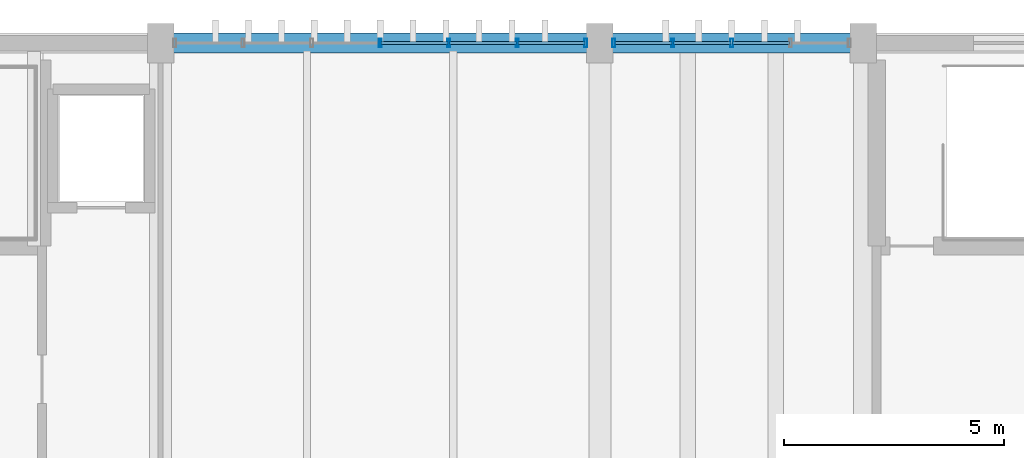
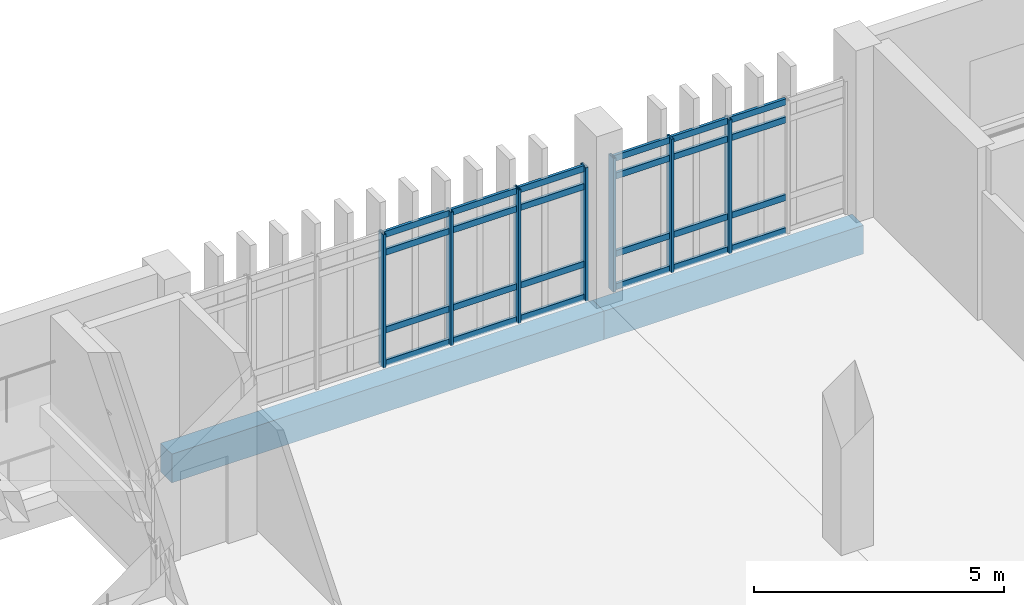
# One storey, part 96 of 161: 31 members, 2 beams, 2 elements without a shape of their own.
"""IFC4 building model written with IfcOpenShell, lengths in metres."""

from ifc_helpers import new_model, si_unit, direction, frame, origin, origin_2d, place, context, subcontext, project, spatial, rectangle, hollow_rectangle, extrude, material, layer, layer_set, material_profile, profile_set, type_object, element, aggregate, save


model = new_model("IFC4")

# Units and contexts
model_context = context("Model", 3, precision=1e-05, world=origin(), true_north=direction((0.0, 1.0)))
body_context = subcontext(model_context, "Body", "Model", "MODEL_VIEW")
ifc_project = project(units=[si_unit("LENGTHUNIT", "METRE"), si_unit("AREAUNIT", "SQUARE_METRE"), si_unit("VOLUMEUNIT", "CUBIC_METRE"), si_unit("PLANEANGLEUNIT", "RADIAN"), si_unit("MASSUNIT", "GRAM", prefix="KILO")], contexts=[model_context])

# Site, building, storey
site_placement = place(None, origin())
site = spatial("IfcSite", under=ifc_project, at=site_placement, CompositionType="ELEMENT")
building_placement = place(site_placement, origin())
building = spatial("IfcBuilding", under=site, at=building_placement, Name="Mersad Railyard Sports Hall", CompositionType="ELEMENT")
storey_placement = place(building_placement, frame((0.0, 0.0, 4.800048828125)))
storey = spatial("IfcBuildingStorey", under=building, at=storey_placement, Name="L01", CompositionType="ELEMENT", Elevation=4.800048828125)

# Curtain wall, members
ifc_material_1 = material(Name="Aluminium 6063-T6", Category="aluminium")
ifc_layer_1 = layer(ifc_material_1, 0.199951171875)
ifc_layer_set_1 = layer_set([ifc_layer_1], Name="Aluminium 6063-T6")
curtain_wall_type_1 = type_object("IfcCurtainWallType", Name="ARC-CW-CW35", PredefinedType="USERDEFINED", material=ifc_layer_set_1)
curtain_wall_1_placement = place(storey_placement, origin())
curtain_wall_1 = element("IfcCurtainWall", 1, at=curtain_wall_1_placement, inside=storey, type_object=curtain_wall_type_1, Name="Curtain wall CW35-0099", ObjectType="CURTAIN WALL", PredefinedType="USERDEFINED")
ifc_material_profile_1 = material_profile(ifc_material_1, hollow_rectangle(XDim=0.06494140625, YDim=0.199951171875, WallThickness=0.0048828125, at=origin_2d()), Name="AL MULLION 65x200x5")
ifc_profile_set_1 = profile_set([ifc_material_profile_1], Name="Aluminium 6063-T6")
member_type_1 = type_object("IfcMemberType", Name="ARC-CW-MUL02", PredefinedType="MULLION", material=ifc_profile_set_1)
member_1_placement = place(storey_placement, frame((126.0, 115.0, -0.02001953125), z_axis=(0.0, 0.0, 1.0), x_axis=(1.0, 0.0, 0.0)))
member_1 = element("IfcMember", 2, at=member_1_placement, type_object=member_type_1, Name="CW35 Mullion 4", PredefinedType="MULLION", context=body_context, shape_type="SweptSolid", body=[
    extrude(hollow_rectangle(XDim=0.06494140625, YDim=0.199951171875, WallThickness=0.0048828125, at=origin_2d()), origin(), (0.0, 0.0, 1.0), 3.27001953125),
])
member_2_placement = place(storey_placement, frame((127.56005859375, 115.0, -0.02001953125), z_axis=(0.0, 0.0, 1.0), x_axis=(1.0, 0.0, 0.0)))
member_2 = element("IfcMember", 3, at=member_2_placement, type_object=member_type_1, Name="CW35 Mullion 5", PredefinedType="MULLION", context=body_context, shape_type="SweptSolid", body=[
    extrude(hollow_rectangle(XDim=0.06494140625, YDim=0.199951171875, WallThickness=0.0048828125, at=origin_2d()), origin(), (0.0, 0.0, 1.0), 3.27001953125),
])
member_3_placement = place(storey_placement, frame((129.1201171875, 115.0, -0.02001953125), z_axis=(0.0, 0.0, 1.0), x_axis=(1.0, 0.0, 0.0)))
member_3 = element("IfcMember", 4, at=member_3_placement, type_object=member_type_1, Name="CW35 Mullion 6", PredefinedType="MULLION", context=body_context, shape_type="SweptSolid", body=[
    extrude(hollow_rectangle(XDim=0.06494140625, YDim=0.199951171875, WallThickness=0.0048828125, at=origin_2d()), origin(), (0.0, 0.0, 1.0), 3.27001953125),
])
member_4_placement = place(storey_placement, frame((130.679931640625, 115.0, -0.02001953125), z_axis=(0.0, 0.0, 1.0), x_axis=(1.0, 0.0, 0.0)))
member_4 = element("IfcMember", 5, at=member_4_placement, type_object=member_type_1, Name="CW35 Mullion 7", PredefinedType="MULLION", context=body_context, shape_type="SweptSolid", body=[
    extrude(hollow_rectangle(XDim=0.06494140625, YDim=0.199951171875, WallThickness=0.0048828125, at=origin_2d()), origin(), (0.0, 0.0, 1.0), 3.27001953125),
])

ifc_layer_2 = layer(ifc_material_1, 0.199951171875)
ifc_layer_set_2 = layer_set([ifc_layer_2], Name="Aluminium 6063-T6")
curtain_wall_type_2 = type_object("IfcCurtainWallType", Name="ARC-CW-CW36", PredefinedType="USERDEFINED", material=ifc_layer_set_2)
curtain_wall_2_placement = place(storey_placement, origin())
curtain_wall_2 = element("IfcCurtainWall", 6, at=curtain_wall_2_placement, inside=storey, type_object=curtain_wall_type_2, Name="Curtain wall CW36-0100", ObjectType="CURTAIN WALL", PredefinedType="USERDEFINED")
member_5_placement = place(storey_placement, frame((131.320068359375, 115.0, -0.02001953125), z_axis=(0.0, 0.0, 1.0), x_axis=(1.0, 0.0, 0.0)))
member_5 = element("IfcMember", 7, at=member_5_placement, type_object=member_type_1, Name="CW36 Mullion 1", PredefinedType="MULLION", context=body_context, shape_type="SweptSolid", body=[
    extrude(hollow_rectangle(XDim=0.06494140625, YDim=0.199951171875, WallThickness=0.0048828125, at=origin_2d()), origin(), (0.0, 0.0, 1.0), 3.27001953125),
])
member_6_placement = place(storey_placement, frame((132.659912109375, 115.0, -0.02001953125), z_axis=(0.0, 0.0, 1.0), x_axis=(1.0, 0.0, 0.0)))
member_6 = element("IfcMember", 8, at=member_6_placement, type_object=member_type_1, Name="CW36 Mullion 2", PredefinedType="MULLION", context=body_context, shape_type="SweptSolid", body=[
    extrude(hollow_rectangle(XDim=0.06494140625, YDim=0.199951171875, WallThickness=0.0048828125, at=origin_2d()), origin(), (0.0, 0.0, 1.0), 3.27001953125),
])
member_7_placement = place(storey_placement, frame((134.0, 115.0, -0.02001953125), z_axis=(0.0, 0.0, 1.0), x_axis=(1.0, 0.0, 0.0)))
member_7 = element("IfcMember", 9, at=member_7_placement, type_object=member_type_1, Name="CW36 Mullion 3", PredefinedType="MULLION", context=body_context, shape_type="SweptSolid", body=[
    extrude(hollow_rectangle(XDim=0.06494140625, YDim=0.199951171875, WallThickness=0.0048828125, at=origin_2d()), origin(), (0.0, 0.0, 1.0), 3.27001953125),
])

# Member
ifc_material_profile_2 = material_profile(ifc_material_1, hollow_rectangle(XDim=0.06494140625, YDim=0.14990234375, WallThickness=0.00439453125, at=origin_2d()), Name="AL TRANSOM 65x150x4.5")
ifc_profile_set_2 = profile_set([ifc_material_profile_2], Name="Aluminium 6063-T6")
member_type_2 = type_object("IfcMemberType", Name="ARC-CW-TRN02", PredefinedType="USERDEFINED", material=ifc_profile_set_2)
member_8_placement = place(storey_placement, frame((126.02001953125, 115.0, 0.0400390625), z_axis=(1.0, 0.0, 0.0), x_axis=(0.0, 1.0, 0.0)))
member_8 = element("IfcMember", 10, at=member_8_placement, type_object=member_type_2, Name="CW35 Transom 1-4", ObjectType="TRANSOM", PredefinedType="USERDEFINED", context=body_context, shape_type="SweptSolid", body=[
    extrude(hollow_rectangle(XDim=0.06494140625, YDim=0.14990234375, WallThickness=0.00439453125, at=origin_2d()), origin(), (0.0, 0.0, 1.0), 1.52001953125),
])

member_9_placement = place(storey_placement, frame((127.580078125, 115.0, 0.0400390625), z_axis=(1.0, 0.0, 0.0), x_axis=(0.0, 1.0, 0.0)))
member_9 = element("IfcMember", 11, at=member_9_placement, type_object=member_type_2, Name="CW35 Transom 1-5", ObjectType="TRANSOM", PredefinedType="USERDEFINED", context=body_context, shape_type="SweptSolid", body=[
    extrude(hollow_rectangle(XDim=0.06494140625, YDim=0.14990234375, WallThickness=0.00439453125, at=origin_2d()), origin(), (0.0, 0.0, 1.0), 1.52001953125),
])

member_10_placement = place(storey_placement, frame((129.139892578125, 115.0, 0.0400390625), z_axis=(1.0, 0.0, 0.0), x_axis=(0.0, 1.0, 0.0)))
member_10 = element("IfcMember", 12, at=member_10_placement, type_object=member_type_2, Name="CW35 Transom 1-6", ObjectType="TRANSOM", PredefinedType="USERDEFINED", context=body_context, shape_type="SweptSolid", body=[
    extrude(hollow_rectangle(XDim=0.06494140625, YDim=0.14990234375, WallThickness=0.00439453125, at=origin_2d()), origin(), (0.0, 0.0, 1.0), 1.52001953125),
])

member_11_placement = place(storey_placement, frame((126.02001953125, 115.0, 0.849853515625), z_axis=(1.0, 0.0, 0.0), x_axis=(0.0, 1.0, 0.0)))
member_11 = element("IfcMember", 13, at=member_11_placement, type_object=member_type_2, Name="CW35 Transom 2-4", ObjectType="TRANSOM", PredefinedType="USERDEFINED", context=body_context, shape_type="SweptSolid", body=[
    extrude(hollow_rectangle(XDim=0.06494140625, YDim=0.14990234375, WallThickness=0.00439453125, at=origin_2d()), origin(), (0.0, 0.0, 1.0), 1.52001953125),
])

member_12_placement = place(storey_placement, frame((127.580078125, 115.0, 0.849853515625), z_axis=(1.0, 0.0, 0.0), x_axis=(0.0, 1.0, 0.0)))
member_12 = element("IfcMember", 14, at=member_12_placement, type_object=member_type_2, Name="CW35 Transom 2-5", ObjectType="TRANSOM", PredefinedType="USERDEFINED", context=body_context, shape_type="SweptSolid", body=[
    extrude(hollow_rectangle(XDim=0.06494140625, YDim=0.14990234375, WallThickness=0.00439453125, at=origin_2d()), origin(), (0.0, 0.0, 1.0), 1.52001953125),
])

member_13_placement = place(storey_placement, frame((129.139892578125, 115.0, 0.849853515625), z_axis=(1.0, 0.0, 0.0), x_axis=(0.0, 1.0, 0.0)))
member_13 = element("IfcMember", 15, at=member_13_placement, type_object=member_type_2, Name="CW35 Transom 2-6", ObjectType="TRANSOM", PredefinedType="USERDEFINED", context=body_context, shape_type="SweptSolid", body=[
    extrude(hollow_rectangle(XDim=0.06494140625, YDim=0.14990234375, WallThickness=0.00439453125, at=origin_2d()), origin(), (0.0, 0.0, 1.0), 1.52001953125),
])

member_14_placement = place(storey_placement, frame((126.02001953125, 115.0, 2.75), z_axis=(1.0, 0.0, 0.0), x_axis=(0.0, 1.0, 0.0)))
member_14 = element("IfcMember", 16, at=member_14_placement, type_object=member_type_2, Name="CW35 Transom 3-4", ObjectType="TRANSOM", PredefinedType="USERDEFINED", context=body_context, shape_type="SweptSolid", body=[
    extrude(hollow_rectangle(XDim=0.06494140625, YDim=0.14990234375, WallThickness=0.00439453125, at=origin_2d()), origin(), (0.0, 0.0, 1.0), 1.52001953125),
])

member_15_placement = place(storey_placement, frame((127.580078125, 115.0, 2.75), z_axis=(1.0, 0.0, 0.0), x_axis=(0.0, 1.0, 0.0)))
member_15 = element("IfcMember", 17, at=member_15_placement, type_object=member_type_2, Name="CW35 Transom 3-5", ObjectType="TRANSOM", PredefinedType="USERDEFINED", context=body_context, shape_type="SweptSolid", body=[
    extrude(hollow_rectangle(XDim=0.06494140625, YDim=0.14990234375, WallThickness=0.00439453125, at=origin_2d()), origin(), (0.0, 0.0, 1.0), 1.52001953125),
])

member_16_placement = place(storey_placement, frame((129.139892578125, 115.0, 2.75), z_axis=(1.0, 0.0, 0.0), x_axis=(0.0, 1.0, 0.0)))
member_16 = element("IfcMember", 18, at=member_16_placement, type_object=member_type_2, Name="CW35 Transom 3-6", ObjectType="TRANSOM", PredefinedType="USERDEFINED", context=body_context, shape_type="SweptSolid", body=[
    extrude(hollow_rectangle(XDim=0.06494140625, YDim=0.14990234375, WallThickness=0.00439453125, at=origin_2d()), origin(), (0.0, 0.0, 1.0), 1.52001953125),
])

member_17_placement = place(storey_placement, frame((126.02001953125, 115.0, 3.18994140625), z_axis=(1.0, 0.0, 0.0), x_axis=(0.0, 1.0, 0.0)))
member_17 = element("IfcMember", 19, at=member_17_placement, type_object=member_type_2, Name="CW35 Transom 4-4", ObjectType="TRANSOM", PredefinedType="USERDEFINED", context=body_context, shape_type="SweptSolid", body=[
    extrude(hollow_rectangle(XDim=0.06494140625, YDim=0.14990234375, WallThickness=0.00439453125, at=origin_2d()), origin(), (0.0, 0.0, 1.0), 1.52001953125),
])

member_18_placement = place(storey_placement, frame((127.580078125, 115.0, 3.18994140625), z_axis=(1.0, 0.0, 0.0), x_axis=(0.0, 1.0, 0.0)))
member_18 = element("IfcMember", 20, at=member_18_placement, type_object=member_type_2, Name="CW35 Transom 4-5", ObjectType="TRANSOM", PredefinedType="USERDEFINED", context=body_context, shape_type="SweptSolid", body=[
    extrude(hollow_rectangle(XDim=0.06494140625, YDim=0.14990234375, WallThickness=0.00439453125, at=origin_2d()), origin(), (0.0, 0.0, 1.0), 1.52001953125),
])

member_19_placement = place(storey_placement, frame((129.139892578125, 115.0, 3.18994140625), z_axis=(1.0, 0.0, 0.0), x_axis=(0.0, 1.0, 0.0)))
member_19 = element("IfcMember", 21, at=member_19_placement, type_object=member_type_2, Name="CW35 Transom 4-6", ObjectType="TRANSOM", PredefinedType="USERDEFINED", context=body_context, shape_type="SweptSolid", body=[
    extrude(hollow_rectangle(XDim=0.06494140625, YDim=0.14990234375, WallThickness=0.00439453125, at=origin_2d()), origin(), (0.0, 0.0, 1.0), 1.52001953125),
])

aggregate(curtain_wall_1, [member_1, member_2, member_3, member_4, member_8, member_9, member_10, member_11, member_12, member_13, member_14, member_15, member_16, member_17, member_18, member_19])

member_20_placement = place(storey_placement, frame((131.340087890625, 115.0, 0.0400390625), z_axis=(1.0, 0.0, 0.0), x_axis=(0.0, 1.0, 0.0)))
member_20 = element("IfcMember", 22, at=member_20_placement, type_object=member_type_2, Name="CW36 Transom 1-1", ObjectType="TRANSOM", PredefinedType="USERDEFINED", context=body_context, shape_type="SweptSolid", body=[
    extrude(hollow_rectangle(XDim=0.06494140625, YDim=0.14990234375, WallThickness=0.00439453125, at=origin_2d()), origin(), (0.0, 0.0, 1.0), 1.2998046875),
])

member_21_placement = place(storey_placement, frame((132.679931640625, 115.0, 0.0400390625), z_axis=(1.0, 0.0, 0.0), x_axis=(0.0, 1.0, 0.0)))
member_21 = element("IfcMember", 23, at=member_21_placement, type_object=member_type_2, Name="CW36 Transom 1-2", ObjectType="TRANSOM", PredefinedType="USERDEFINED", context=body_context, shape_type="SweptSolid", body=[
    extrude(hollow_rectangle(XDim=0.06494140625, YDim=0.14990234375, WallThickness=0.00439453125, at=origin_2d()), origin(), (0.0, 0.0, 1.0), 1.300048828125),
])

member_22_placement = place(storey_placement, frame((134.02001953125, 115.0, 0.0400390625), z_axis=(1.0, 0.0, 0.0), x_axis=(0.0, 1.0, 0.0)))
member_22 = element("IfcMember", 24, at=member_22_placement, type_object=member_type_2, Name="CW36 Transom 1-3", ObjectType="TRANSOM", PredefinedType="USERDEFINED", context=body_context, shape_type="SweptSolid", body=[
    extrude(hollow_rectangle(XDim=0.06494140625, YDim=0.14990234375, WallThickness=0.00439453125, at=origin_2d()), origin(), (0.0, 0.0, 1.0), 1.300048828125),
])

member_23_placement = place(storey_placement, frame((131.340087890625, 115.0, 0.849853515625), z_axis=(1.0, 0.0, 0.0), x_axis=(0.0, 1.0, 0.0)))
member_23 = element("IfcMember", 25, at=member_23_placement, type_object=member_type_2, Name="CW36 Transom 2-1", ObjectType="TRANSOM", PredefinedType="USERDEFINED", context=body_context, shape_type="SweptSolid", body=[
    extrude(hollow_rectangle(XDim=0.06494140625, YDim=0.14990234375, WallThickness=0.00439453125, at=origin_2d()), origin(), (0.0, 0.0, 1.0), 1.2998046875),
])

member_24_placement = place(storey_placement, frame((132.679931640625, 115.0, 0.849853515625), z_axis=(1.0, 0.0, 0.0), x_axis=(0.0, 1.0, 0.0)))
member_24 = element("IfcMember", 26, at=member_24_placement, type_object=member_type_2, Name="CW36 Transom 2-2", ObjectType="TRANSOM", PredefinedType="USERDEFINED", context=body_context, shape_type="SweptSolid", body=[
    extrude(hollow_rectangle(XDim=0.06494140625, YDim=0.14990234375, WallThickness=0.00439453125, at=origin_2d()), origin(), (0.0, 0.0, 1.0), 1.300048828125),
])

member_25_placement = place(storey_placement, frame((134.02001953125, 115.0, 0.849853515625), z_axis=(1.0, 0.0, 0.0), x_axis=(0.0, 1.0, 0.0)))
member_25 = element("IfcMember", 27, at=member_25_placement, type_object=member_type_2, Name="CW36 Transom 2-3", ObjectType="TRANSOM", PredefinedType="USERDEFINED", context=body_context, shape_type="SweptSolid", body=[
    extrude(hollow_rectangle(XDim=0.06494140625, YDim=0.14990234375, WallThickness=0.00439453125, at=origin_2d()), origin(), (0.0, 0.0, 1.0), 1.300048828125),
])

member_26_placement = place(storey_placement, frame((131.340087890625, 115.0, 2.75), z_axis=(1.0, 0.0, 0.0), x_axis=(0.0, 1.0, 0.0)))
member_26 = element("IfcMember", 28, at=member_26_placement, type_object=member_type_2, Name="CW36 Transom 3-1", ObjectType="TRANSOM", PredefinedType="USERDEFINED", context=body_context, shape_type="SweptSolid", body=[
    extrude(hollow_rectangle(XDim=0.06494140625, YDim=0.14990234375, WallThickness=0.00439453125, at=origin_2d()), origin(), (0.0, 0.0, 1.0), 1.2998046875),
])

member_27_placement = place(storey_placement, frame((132.679931640625, 115.0, 2.75), z_axis=(1.0, 0.0, 0.0), x_axis=(0.0, 1.0, 0.0)))
member_27 = element("IfcMember", 29, at=member_27_placement, type_object=member_type_2, Name="CW36 Transom 3-2", ObjectType="TRANSOM", PredefinedType="USERDEFINED", context=body_context, shape_type="SweptSolid", body=[
    extrude(hollow_rectangle(XDim=0.06494140625, YDim=0.14990234375, WallThickness=0.00439453125, at=origin_2d()), origin(), (0.0, 0.0, 1.0), 1.300048828125),
])

member_28_placement = place(storey_placement, frame((134.02001953125, 115.0, 2.75), z_axis=(1.0, 0.0, 0.0), x_axis=(0.0, 1.0, 0.0)))
member_28 = element("IfcMember", 30, at=member_28_placement, type_object=member_type_2, Name="CW36 Transom 3-3", ObjectType="TRANSOM", PredefinedType="USERDEFINED", context=body_context, shape_type="SweptSolid", body=[
    extrude(hollow_rectangle(XDim=0.06494140625, YDim=0.14990234375, WallThickness=0.00439453125, at=origin_2d()), origin(), (0.0, 0.0, 1.0), 1.300048828125),
])

member_29_placement = place(storey_placement, frame((131.340087890625, 115.0, 3.18994140625), z_axis=(1.0, 0.0, 0.0), x_axis=(0.0, 1.0, 0.0)))
member_29 = element("IfcMember", 31, at=member_29_placement, type_object=member_type_2, Name="CW36 Transom 4-1", ObjectType="TRANSOM", PredefinedType="USERDEFINED", context=body_context, shape_type="SweptSolid", body=[
    extrude(hollow_rectangle(XDim=0.06494140625, YDim=0.14990234375, WallThickness=0.00439453125, at=origin_2d()), origin(), (0.0, 0.0, 1.0), 1.2998046875),
])

member_30_placement = place(storey_placement, frame((132.679931640625, 115.0, 3.18994140625), z_axis=(1.0, 0.0, 0.0), x_axis=(0.0, 1.0, 0.0)))
member_30 = element("IfcMember", 32, at=member_30_placement, type_object=member_type_2, Name="CW36 Transom 4-2", ObjectType="TRANSOM", PredefinedType="USERDEFINED", context=body_context, shape_type="SweptSolid", body=[
    extrude(hollow_rectangle(XDim=0.06494140625, YDim=0.14990234375, WallThickness=0.00439453125, at=origin_2d()), origin(), (0.0, 0.0, 1.0), 1.300048828125),
])

member_31_placement = place(storey_placement, frame((134.02001953125, 115.0, 3.18994140625), z_axis=(1.0, 0.0, 0.0), x_axis=(0.0, 1.0, 0.0)))
member_31 = element("IfcMember", 33, at=member_31_placement, type_object=member_type_2, Name="CW36 Transom 4-3", ObjectType="TRANSOM", PredefinedType="USERDEFINED", context=body_context, shape_type="SweptSolid", body=[
    extrude(hollow_rectangle(XDim=0.06494140625, YDim=0.14990234375, WallThickness=0.00439453125, at=origin_2d()), origin(), (0.0, 0.0, 1.0), 1.300048828125),
])

aggregate(curtain_wall_2, [member_5, member_6, member_7, member_20, member_21, member_22, member_23, member_24, member_25, member_26, member_27, member_28, member_29, member_30, member_31])

# Beams
ifc_material_2 = material(Name="Architectural concrete C40/50", Category="concrete")
ifc_material_profile_3 = material_profile(ifc_material_2, rectangle(XDim=0.449951171875, YDim=0.699951171875, at=origin_2d()), Name="RC 450x700")
ifc_profile_set_3 = profile_set([ifc_material_profile_3], Name="Architectural concrete C40/50")
beam_type = type_object("IfcBeamType", Name="STR-BM-SP01", PredefinedType="SPANDREL", material=ifc_profile_set_3)
beam_1_placement = place(storey_placement, frame((121.0, 115.0, -0.650146484375), z_axis=(1.0, 0.0, 0.0), x_axis=(0.0, 1.0, 0.0)))
element("IfcBeam", 34, at=beam_1_placement, inside=storey, type_object=beam_type, Name="Beam SP01-0955", PredefinedType="SPANDREL", context=body_context, shape_type="SweptSolid", body=[
    extrude(rectangle(XDim=0.449951171875, YDim=0.699951171875, at=origin_2d()), origin(), (0.0, 0.0, 1.0), 10.0),
])
beam_2_placement = place(storey_placement, frame((131.0, 115.0, -0.650146484375), z_axis=(1.0, 0.0, 0.0), x_axis=(0.0, 1.0, 0.0)))
element("IfcBeam", 35, at=beam_2_placement, inside=storey, type_object=beam_type, Name="Beam SP01-0991", PredefinedType="SPANDREL", context=body_context, shape_type="SweptSolid", body=[
    extrude(rectangle(XDim=0.449951171875, YDim=0.699951171875, at=origin_2d()), origin(), (0.0, 0.0, 1.0), 6.0),
])

save(model, "model.ifc")
